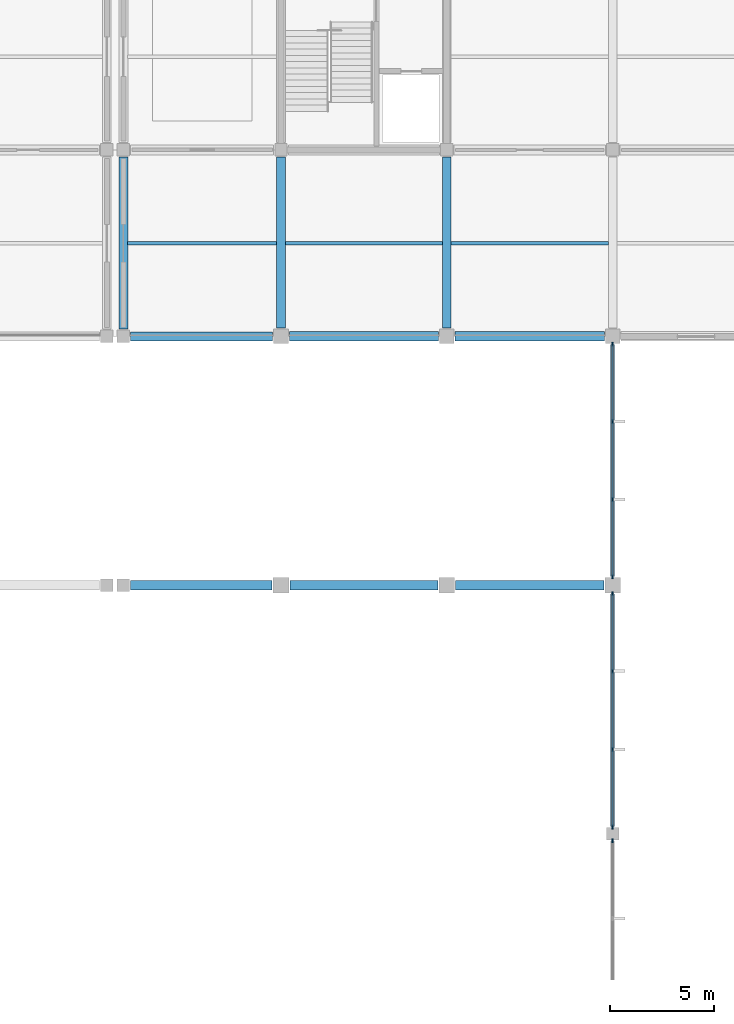
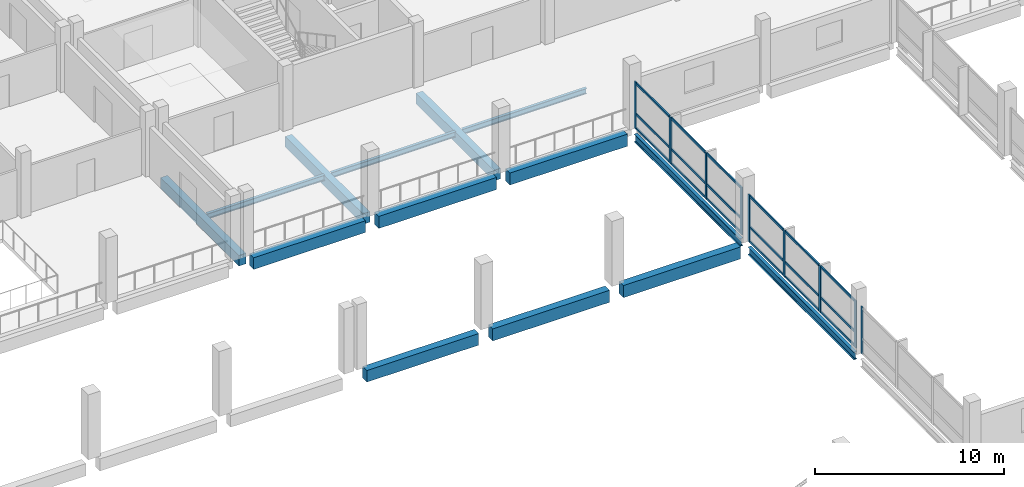
# One storey, part 17 of 57: 27 members, 14 beams, 3 elements without a shape of their own.
"""IFC4 building model written with IfcOpenShell, lengths in metres."""

from ifc_helpers import new_model, si_unit, direction, frame, origin, origin_2d, place, context, subcontext, project, spatial, rectangle, i_section, extrude, material, material_profile, profile_set, type_object, element, aggregate, save


model = new_model("IFC4")

# Units and contexts
model_context = context("Model", 3, precision=1e-05, world=origin(), true_north=direction((0.0, 1.0)))
body_context = subcontext(model_context, "Body", "Model", "MODEL_VIEW")
ifc_project = project(units=[si_unit("LENGTHUNIT", "METRE"), si_unit("AREAUNIT", "SQUARE_METRE"), si_unit("VOLUMEUNIT", "CUBIC_METRE"), si_unit("PLANEANGLEUNIT", "RADIAN"), si_unit("MASSUNIT", "GRAM", prefix="KILO"), si_unit("THERMODYNAMICTEMPERATUREUNIT", "KELVIN"), si_unit("POWERUNIT", "WATT")], contexts=[model_context])

# Site, building, storey
site_placement = place(None, origin())
site = spatial("IfcSite", under=ifc_project, at=site_placement, CompositionType="ELEMENT")
building_placement = place(site_placement, origin())
building = spatial("IfcBuilding", under=site, at=building_placement, Name="Kronsvod Quay Wholesale Market", CompositionType="ELEMENT")
storey_placement = place(building_placement, frame((0.0, 0.0, 4.800048828125)))
storey = spatial("IfcBuildingStorey", under=building, at=storey_placement, Name="L01", CompositionType="ELEMENT", Elevation=4.800048828125)

# Beams
ifc_material_1 = material(Name="Precast concrete C40/50", Category="concrete")
ifc_material_profile_1 = material_profile(ifc_material_1, rectangle(XDim=0.419921875, YDim=0.679931640625, at=origin_2d()), Name="PB-05")
ifc_profile_set_1 = profile_set([ifc_material_profile_1], Name="Precast concrete C40/50")
beam_type_1 = type_object("IfcBeamType", Name="Beam_PCB420x680", PredefinedType="BEAM", material=ifc_profile_set_1)
beam_1_placement = place(storey_placement, frame((64.39990234375, 90.35009765625, -0.64013671875), z_axis=(0.0, 1.0, 0.0), x_axis=(-1.0, 0.0, 0.0)))
element("IfcBeam", 1, at=beam_1_placement, inside=storey, type_object=beam_type_1, Name="BMY-L01-644-900", PredefinedType="BEAM", context=body_context, shape_type="SweptSolid", body=[
    extrude(rectangle(XDim=0.419921875, YDim=0.679931640625, at=origin_2d()), origin(), (0.0, 0.0, 1.0), 8.2998046875),
])
for number, where, z_axis, x_axis, name in (
    (2, (72.0, 90.39990234375, -0.64013671875), (0.0, 1.0, 0.0), (-1.0, 0.0, 0.0), "BMY-L01-720-900"),
    (3, (80.0, 90.39990234375, -0.64013671875), (0.0, 1.0, 0.0), (-1.0, 0.0, 0.0), "BMY-L01-800-900"),
):
    element("IfcBeam", number, at=place(storey_placement, frame(where, z_axis=z_axis, x_axis=x_axis)), inside=storey, type_object=beam_type_1, Name=name, PredefinedType="BEAM", context=body_context, shape_type="SweptSolid", body=[
        extrude(rectangle(XDim=0.419921875, YDim=0.679931640625, at=origin_2d()), origin(), (0.0, 0.0, 1.0), 8.25),
    ])
ifc_material_2 = material(Name="Precast concrete C40/50", Category="concrete")
ifc_material_profile_2 = material_profile(ifc_material_2, rectangle(XDim=0.449951171875, YDim=0.75, at=origin_2d()), Name="PCB450x750")
ifc_profile_set_2 = profile_set([ifc_material_profile_2], Name="Precast concrete C40/50")
beam_type_2 = type_object("IfcBeamType", Name="Beam_PCB450x750", PredefinedType="BEAM", material=ifc_profile_set_2)
beam_2_placement = place(storey_placement, frame((64.75, 78.0, -0.675048828125), z_axis=(1.0, 0.0, 0.0), x_axis=(0.0, 1.0, 0.0)))
element("IfcBeam", 4, at=beam_2_placement, inside=storey, type_object=beam_type_2, Name="BMX-L01-644-780", PredefinedType="BEAM", context=body_context, shape_type="SweptSolid", body=[
    extrude(rectangle(XDim=0.449951171875, YDim=0.75, at=origin_2d()), origin(), (0.0, 0.0, 1.0), 6.824951171875),
])
beam_3_placement = place(storey_placement, frame((64.75, 90.0, -0.675048828125), z_axis=(1.0, 0.0, 0.0), x_axis=(0.0, 1.0, 0.0)))
element("IfcBeam", 5, at=beam_3_placement, inside=storey, type_object=beam_type_2, Name="BMX-L01-644-900", PredefinedType="BEAM", context=body_context, shape_type="SweptSolid", body=[
    extrude(rectangle(XDim=0.449951171875, YDim=0.75, at=origin_2d()), origin(), (0.0, 0.0, 1.0), 6.85009765625),
])
ifc_material_3 = material(Name="Precast concrete C40/50", Category="concrete")
ifc_material_profile_3 = material_profile(ifc_material_3, rectangle(XDim=0.4599609375, YDim=0.780029296875, at=origin_2d()), Name="PB-03")
ifc_profile_set_3 = profile_set([ifc_material_profile_3], Name="Precast concrete C40/50")
beam_type_3 = type_object("IfcBeamType", Name="Beam_PCB460x780", PredefinedType="BEAM", material=ifc_profile_set_3)
for number, where, z_axis, x_axis, name in (
    (6, (72.425048828125, 78.0, -0.68994140625), (1.0, 0.0, 0.0), (0.0, 1.0, 0.0), "BMX-L01-720-780"),
    (7, (80.425048828125, 78.0, -0.68994140625), (1.0, 0.0, 0.0), (0.0, 1.0, 0.0), "BMX-L01-800-780"),
):
    element("IfcBeam", number, at=place(storey_placement, frame(where, z_axis=z_axis, x_axis=x_axis)), inside=storey, type_object=beam_type_3, Name=name, PredefinedType="BEAM", context=body_context, shape_type="SweptSolid", body=[
        extrude(rectangle(XDim=0.4599609375, YDim=0.780029296875, at=origin_2d()), origin(), (0.0, 0.0, 1.0), 7.14990234375),
    ])
for number, where, z_axis, x_axis, name in (
    (8, (72.39990234375, 90.0, -0.68994140625), (1.0, 0.0, 0.0), (0.0, 1.0, 0.0), "BMX-L01-720-900"),
    (9, (80.39990234375, 90.0, -0.68994140625), (1.0, 0.0, 0.0), (0.0, 1.0, 0.0), "BMX-L01-800-900"),
):
    element("IfcBeam", number, at=place(storey_placement, frame(where, z_axis=z_axis, x_axis=x_axis)), inside=storey, type_object=beam_type_3, Name=name, PredefinedType="BEAM", context=body_context, shape_type="SweptSolid", body=[
        extrude(rectangle(XDim=0.4599609375, YDim=0.780029296875, at=origin_2d()), origin(), (0.0, 0.0, 1.0), 7.2001953125),
    ])
ifc_material_4 = material(Name="Steel S355", Category="steel")
ifc_material_profile_4 = material_profile(ifc_material_4, i_section(OverallWidth=0.198974609375, OverallDepth=0.49609375, WebThickness=0.009033203125, FlangeThickness=0.013916015625, FilletRadius=0.02001953125, at=origin_2d()), Name="50B1")
ifc_profile_set_4 = profile_set([ifc_material_profile_4], Name="Steel S355")
beam_type_4 = type_object("IfcBeamType", Name="Girder_Steel50B1", PredefinedType="T_BEAM", material=ifc_profile_set_4)
beam_4_placement = place(storey_placement, frame((88.0, 66.35009765625, -0.548095703125), z_axis=(0.0, 1.0, 0.0), x_axis=(-1.0, 0.0, 0.0)))
element("IfcBeam", 10, at=beam_4_placement, inside=storey, type_object=beam_type_4, Name="BMY-L01-880-660", PredefinedType="T_BEAM", context=body_context, shape_type="SweptSolid", body=[
    extrude(i_section(OverallWidth=0.198974609375, OverallDepth=0.49609375, WebThickness=0.009033203125, FlangeThickness=0.013916015625, FilletRadius=0.02001953125, at=origin_2d()), origin(), (0.0, 0.0, 1.0), 11.224853515625),
])
beam_5_placement = place(storey_placement, frame((88.0, 78.425048828125, -0.548095703125), z_axis=(0.0, 1.0, 0.0), x_axis=(-1.0, 0.0, 0.0)))
element("IfcBeam", 11, at=beam_5_placement, inside=storey, type_object=beam_type_4, Name="BMY-L01-880-780", PredefinedType="T_BEAM", context=body_context, shape_type="SweptSolid", body=[
    extrude(i_section(OverallWidth=0.198974609375, OverallDepth=0.49609375, WebThickness=0.009033203125, FlangeThickness=0.013916015625, FilletRadius=0.02001953125, at=origin_2d()), origin(), (0.0, 0.0, 1.0), 11.175048828125),
])
ifc_material_5 = material(Name="Steel S355", Category="steel")
ifc_material_profile_5 = material_profile(ifc_material_5, i_section(OverallWidth=0.175048828125, OverallDepth=0.35009765625, WebThickness=0.007080078125, FlangeThickness=0.010986328125, FilletRadius=0.013916015625, at=origin_2d()), Name="35B2")
ifc_profile_set_5 = profile_set([ifc_material_profile_5], Name="Steel S355")
beam_type_5 = type_object("IfcBeamType", Name="Joist_Steel35B2", PredefinedType="JOIST", material=ifc_profile_set_5)
beam_6_placement = place(storey_placement, frame((64.60498046875, 94.5, -0.405029296875), z_axis=(1.0, 0.0, 0.0), x_axis=(0.0, 1.0, 0.0)))
element("IfcBeam", 12, at=beam_6_placement, inside=storey, type_object=beam_type_5, Name="JSTX-L01-644-900", PredefinedType="JOIST", context=body_context, shape_type="SweptSolid", body=[
    extrude(i_section(OverallWidth=0.175048828125, OverallDepth=0.35009765625, WebThickness=0.007080078125, FlangeThickness=0.010986328125, FilletRadius=0.013916015625, at=origin_2d()), origin(), (0.0, 0.0, 1.0), 7.18994140625),
])
for number, where, z_axis, x_axis, name in (
    (13, (72.205078125, 94.5, -0.405029296875), (1.0, 0.0, 0.0), (0.0, 1.0, 0.0), "JSTX-L01-720-900"),
    (14, (80.205078125, 94.5, -0.405029296875), (1.0, 0.0, 0.0), (0.0, 1.0, 0.0), "JSTX-L01-800-900"),
):
    element("IfcBeam", number, at=place(storey_placement, frame(where, z_axis=z_axis, x_axis=x_axis)), inside=storey, type_object=beam_type_5, Name=name, PredefinedType="JOIST", context=body_context, shape_type="SweptSolid", body=[
        extrude(i_section(OverallWidth=0.175048828125, OverallDepth=0.35009765625, WebThickness=0.007080078125, FlangeThickness=0.010986328125, FilletRadius=0.013916015625, at=origin_2d()), origin(), (0.0, 0.0, 1.0), 7.58984375),
    ])

# Curtain wall, member
ifc_material_6 = material(Name="Thermally broken aluminium and triple low-E glazing", Category="aluminium")
curtain_wall_type = type_object("IfcCurtainWallType", Name="CW_Court120x35", PredefinedType="NOTDEFINED", material=ifc_material_6)
curtain_wall_1_placement = place(storey_placement, origin())
curtain_wall_1 = element("IfcCurtainWall", 15, at=curtain_wall_1_placement, inside=storey, type_object=curtain_wall_type, Name="CWGY-L01-880-540", PredefinedType="NOTDEFINED")
ifc_material_7 = material(Name="Anodised aluminium", Category="aluminium")
ifc_material_profile_6 = material_profile(ifc_material_7, rectangle(XDim=0.074951171875, YDim=0.199951171875, at=origin_2d()), Name="ALUM75x200")
ifc_profile_set_6 = profile_set([ifc_material_profile_6], Name="Anodised aluminium")
member_type_1 = type_object("IfcMemberType", Name="Mullion_ALU75x200", PredefinedType="MULLION", material=ifc_profile_set_6)
member_1_placement = place(storey_placement, frame((88.0, 65.66748046875, 0.0), z_axis=(0.0, 0.0, 1.0), x_axis=(1.0, 0.0, 0.0)))
member_1 = element("IfcMember", 16, at=member_1_placement, type_object=member_type_1, Name="CWGY-L01-880-540-M4", PredefinedType="MULLION", context=body_context, shape_type="SweptSolid", body=[
    extrude(rectangle(XDim=0.074951171875, YDim=0.199951171875, at=origin_2d()), origin(), (0.0, 0.0, 1.0), 3.050048828125),
])
aggregate(curtain_wall_1, [member_1])

# Curtain wall, members
curtain_wall_2_placement = place(storey_placement, origin())
curtain_wall_2 = element("IfcCurtainWall", 17, at=curtain_wall_2_placement, inside=storey, type_object=curtain_wall_type, Name="CWGY-L01-880-660", PredefinedType="NOTDEFINED")
member_2_placement = place(storey_placement, frame((88.0, 66.33251953125, 0.0), z_axis=(0.0, 0.0, 1.0), x_axis=(1.0, 0.0, 0.0)))
member_2 = element("IfcMember", 18, at=member_2_placement, type_object=member_type_1, Name="CWGY-L01-880-660-M1", PredefinedType="MULLION", context=body_context, shape_type="SweptSolid", body=[
    extrude(rectangle(XDim=0.074951171875, YDim=0.199951171875, at=origin_2d()), origin(), (0.0, 0.0, 1.0), 3.050048828125),
])
member_3_placement = place(storey_placement, frame((88.0, 70.0732421875, 0.0), z_axis=(0.0, 0.0, 1.0), x_axis=(1.0, 0.0, 0.0)))
member_3 = element("IfcMember", 19, at=member_3_placement, type_object=member_type_1, Name="CWGY-L01-880-660-M2", PredefinedType="MULLION", context=body_context, shape_type="SweptSolid", body=[
    extrude(rectangle(XDim=0.074951171875, YDim=0.199951171875, at=origin_2d()), origin(), (0.0, 0.0, 1.0), 3.050048828125),
])
member_4_placement = place(storey_placement, frame((88.0, 73.8515625, 0.0), z_axis=(0.0, 0.0, 1.0), x_axis=(1.0, 0.0, 0.0)))
member_4 = element("IfcMember", 20, at=member_4_placement, type_object=member_type_1, Name="CWGY-L01-880-660-M3", PredefinedType="MULLION", context=body_context, shape_type="SweptSolid", body=[
    extrude(rectangle(XDim=0.074951171875, YDim=0.199951171875, at=origin_2d()), origin(), (0.0, 0.0, 1.0), 3.050048828125),
])
member_5_placement = place(storey_placement, frame((88.0, 77.592529296875, 0.0), z_axis=(0.0, 0.0, 1.0), x_axis=(1.0, 0.0, 0.0)))
member_5 = element("IfcMember", 21, at=member_5_placement, type_object=member_type_1, Name="CWGY-L01-880-660-M4", PredefinedType="MULLION", context=body_context, shape_type="SweptSolid", body=[
    extrude(rectangle(XDim=0.074951171875, YDim=0.199951171875, at=origin_2d()), origin(), (0.0, 0.0, 1.0), 3.050048828125),
])

curtain_wall_3_placement = place(storey_placement, origin())
curtain_wall_3 = element("IfcCurtainWall", 22, at=curtain_wall_3_placement, inside=storey, type_object=curtain_wall_type, Name="CWGY-L01-880-780", PredefinedType="NOTDEFINED")
member_6_placement = place(storey_placement, frame((88.0, 78.407470703125, 0.0), z_axis=(0.0, 0.0, 1.0), x_axis=(1.0, 0.0, 0.0)))
member_6 = element("IfcMember", 23, at=member_6_placement, type_object=member_type_1, Name="CWGY-L01-880-780-M1", PredefinedType="MULLION", context=body_context, shape_type="SweptSolid", body=[
    extrude(rectangle(XDim=0.074951171875, YDim=0.199951171875, at=origin_2d()), origin(), (0.0, 0.0, 1.0), 3.050048828125),
])
member_7_placement = place(storey_placement, frame((88.0, 82.131591796875, 0.0), z_axis=(0.0, 0.0, 1.0), x_axis=(1.0, 0.0, 0.0)))
member_7 = element("IfcMember", 24, at=member_7_placement, type_object=member_type_1, Name="CWGY-L01-880-780-M2", PredefinedType="MULLION", context=body_context, shape_type="SweptSolid", body=[
    extrude(rectangle(XDim=0.074951171875, YDim=0.199951171875, at=origin_2d()), origin(), (0.0, 0.0, 1.0), 3.050048828125),
])
member_8_placement = place(storey_placement, frame((88.0, 85.893310546875, 0.0), z_axis=(0.0, 0.0, 1.0), x_axis=(1.0, 0.0, 0.0)))
member_8 = element("IfcMember", 25, at=member_8_placement, type_object=member_type_1, Name="CWGY-L01-880-780-M3", PredefinedType="MULLION", context=body_context, shape_type="SweptSolid", body=[
    extrude(rectangle(XDim=0.074951171875, YDim=0.199951171875, at=origin_2d()), origin(), (0.0, 0.0, 1.0), 3.050048828125),
])
member_9_placement = place(storey_placement, frame((88.0, 89.617431640625, 0.0), z_axis=(0.0, 0.0, 1.0), x_axis=(1.0, 0.0, 0.0)))
member_9 = element("IfcMember", 26, at=member_9_placement, type_object=member_type_1, Name="CWGY-L01-880-780-M4", PredefinedType="MULLION", context=body_context, shape_type="SweptSolid", body=[
    extrude(rectangle(XDim=0.074951171875, YDim=0.199951171875, at=origin_2d()), origin(), (0.0, 0.0, 1.0), 3.050048828125),
])

# Member
ifc_material_8 = material(Name="Anodised aluminium", Category="aluminium")
ifc_material_profile_7 = material_profile(ifc_material_8, rectangle(XDim=0.074951171875, YDim=0.14990234375, at=origin_2d()), Name="ALUT75x150")
ifc_profile_set_7 = profile_set([ifc_material_profile_7], Name="Anodised aluminium")
member_type_2 = type_object("IfcMemberType", Name="Transom_ALU75x150", PredefinedType="USERDEFINED", material=ifc_profile_set_7)
member_10_placement = place(storey_placement, frame((88.0, 66.3701171875, 0.074951171875), z_axis=(0.0, 1.0, 0.0), x_axis=(-1.0, 0.0, 0.0)))
member_10 = element("IfcMember", 27, at=member_10_placement, type_object=member_type_2, Name="CWGY-L01-880-660-T1B1", ObjectType="TRANSOM", PredefinedType="USERDEFINED", context=body_context, shape_type="SweptSolid", body=[
    extrude(rectangle(XDim=0.074951171875, YDim=0.14990234375, at=origin_2d()), origin(), (0.0, 0.0, 1.0), 3.665771484375),
])

member_11_placement = place(storey_placement, frame((88.0, 70.11083984375, 0.074951171875), z_axis=(0.0, 1.0, 0.0), x_axis=(-1.0, 0.0, 0.0)))
member_11 = element("IfcMember", 28, at=member_11_placement, type_object=member_type_2, Name="CWGY-L01-880-660-T1B2", ObjectType="TRANSOM", PredefinedType="USERDEFINED", context=body_context, shape_type="SweptSolid", body=[
    extrude(rectangle(XDim=0.074951171875, YDim=0.14990234375, at=origin_2d()), origin(), (0.0, 0.0, 1.0), 3.703369140625),
])

member_12_placement = place(storey_placement, frame((88.0, 73.88916015625, 0.074951171875), z_axis=(0.0, 1.0, 0.0), x_axis=(-1.0, 0.0, 0.0)))
member_12 = element("IfcMember", 29, at=member_12_placement, type_object=member_type_2, Name="CWGY-L01-880-660-T1B3", ObjectType="TRANSOM", PredefinedType="USERDEFINED", context=body_context, shape_type="SweptSolid", body=[
    extrude(rectangle(XDim=0.074951171875, YDim=0.14990234375, at=origin_2d()), origin(), (0.0, 0.0, 1.0), 3.665771484375),
])

member_13_placement = place(storey_placement, frame((88.0, 66.3701171875, 1.0), z_axis=(0.0, 1.0, 0.0), x_axis=(-1.0, 0.0, 0.0)))
member_13 = element("IfcMember", 30, at=member_13_placement, type_object=member_type_2, Name="CWGY-L01-880-660-T2B1", ObjectType="TRANSOM", PredefinedType="USERDEFINED", context=body_context, shape_type="SweptSolid", body=[
    extrude(rectangle(XDim=0.074951171875, YDim=0.14990234375, at=origin_2d()), origin(), (0.0, 0.0, 1.0), 3.665771484375),
])

member_14_placement = place(storey_placement, frame((88.0, 70.11083984375, 1.0), z_axis=(0.0, 1.0, 0.0), x_axis=(-1.0, 0.0, 0.0)))
member_14 = element("IfcMember", 31, at=member_14_placement, type_object=member_type_2, Name="CWGY-L01-880-660-T2B2", ObjectType="TRANSOM", PredefinedType="USERDEFINED", context=body_context, shape_type="SweptSolid", body=[
    extrude(rectangle(XDim=0.074951171875, YDim=0.14990234375, at=origin_2d()), origin(), (0.0, 0.0, 1.0), 3.703369140625),
])

member_15_placement = place(storey_placement, frame((88.0, 73.88916015625, 1.0), z_axis=(0.0, 1.0, 0.0), x_axis=(-1.0, 0.0, 0.0)))
member_15 = element("IfcMember", 32, at=member_15_placement, type_object=member_type_2, Name="CWGY-L01-880-660-T2B3", ObjectType="TRANSOM", PredefinedType="USERDEFINED", context=body_context, shape_type="SweptSolid", body=[
    extrude(rectangle(XDim=0.074951171875, YDim=0.14990234375, at=origin_2d()), origin(), (0.0, 0.0, 1.0), 3.665771484375),
])

member_16_placement = place(storey_placement, frame((88.0, 66.3701171875, 2.974853515625), z_axis=(0.0, 1.0, 0.0), x_axis=(-1.0, 0.0, 0.0)))
member_16 = element("IfcMember", 33, at=member_16_placement, type_object=member_type_2, Name="CWGY-L01-880-660-T3B1", ObjectType="TRANSOM", PredefinedType="USERDEFINED", context=body_context, shape_type="SweptSolid", body=[
    extrude(rectangle(XDim=0.074951171875, YDim=0.14990234375, at=origin_2d()), origin(), (0.0, 0.0, 1.0), 3.665771484375),
])

member_17_placement = place(storey_placement, frame((88.0, 70.11083984375, 2.974853515625), z_axis=(0.0, 1.0, 0.0), x_axis=(-1.0, 0.0, 0.0)))
member_17 = element("IfcMember", 34, at=member_17_placement, type_object=member_type_2, Name="CWGY-L01-880-660-T3B2", ObjectType="TRANSOM", PredefinedType="USERDEFINED", context=body_context, shape_type="SweptSolid", body=[
    extrude(rectangle(XDim=0.074951171875, YDim=0.14990234375, at=origin_2d()), origin(), (0.0, 0.0, 1.0), 3.703369140625),
])

member_18_placement = place(storey_placement, frame((88.0, 73.88916015625, 2.974853515625), z_axis=(0.0, 1.0, 0.0), x_axis=(-1.0, 0.0, 0.0)))
member_18 = element("IfcMember", 35, at=member_18_placement, type_object=member_type_2, Name="CWGY-L01-880-660-T3B3", ObjectType="TRANSOM", PredefinedType="USERDEFINED", context=body_context, shape_type="SweptSolid", body=[
    extrude(rectangle(XDim=0.074951171875, YDim=0.14990234375, at=origin_2d()), origin(), (0.0, 0.0, 1.0), 3.665771484375),
])

aggregate(curtain_wall_2, [member_2, member_3, member_4, member_5, member_10, member_11, member_12, member_13, member_14, member_15, member_16, member_17, member_18])

member_19_placement = place(storey_placement, frame((88.0, 78.445068359375, 0.074951171875), z_axis=(0.0, 1.0, 0.0), x_axis=(-1.0, 0.0, 0.0)))
member_19 = element("IfcMember", 36, at=member_19_placement, type_object=member_type_2, Name="CWGY-L01-880-780-T1B1", ObjectType="TRANSOM", PredefinedType="USERDEFINED", context=body_context, shape_type="SweptSolid", body=[
    extrude(rectangle(XDim=0.074951171875, YDim=0.14990234375, at=origin_2d()), origin(), (0.0, 0.0, 1.0), 3.649169921875),
])

member_20_placement = place(storey_placement, frame((88.0, 82.169189453125, 0.074951171875), z_axis=(0.0, 1.0, 0.0), x_axis=(-1.0, 0.0, 0.0)))
member_20 = element("IfcMember", 37, at=member_20_placement, type_object=member_type_2, Name="CWGY-L01-880-780-T1B2", ObjectType="TRANSOM", PredefinedType="USERDEFINED", context=body_context, shape_type="SweptSolid", body=[
    extrude(rectangle(XDim=0.074951171875, YDim=0.14990234375, at=origin_2d()), origin(), (0.0, 0.0, 1.0), 3.6865234375),
])

member_21_placement = place(storey_placement, frame((88.0, 85.930908203125, 0.074951171875), z_axis=(0.0, 1.0, 0.0), x_axis=(-1.0, 0.0, 0.0)))
member_21 = element("IfcMember", 38, at=member_21_placement, type_object=member_type_2, Name="CWGY-L01-880-780-T1B3", ObjectType="TRANSOM", PredefinedType="USERDEFINED", context=body_context, shape_type="SweptSolid", body=[
    extrude(rectangle(XDim=0.074951171875, YDim=0.14990234375, at=origin_2d()), origin(), (0.0, 0.0, 1.0), 3.649169921875),
])

member_22_placement = place(storey_placement, frame((88.0, 78.445068359375, 1.0), z_axis=(0.0, 1.0, 0.0), x_axis=(-1.0, 0.0, 0.0)))
member_22 = element("IfcMember", 39, at=member_22_placement, type_object=member_type_2, Name="CWGY-L01-880-780-T2B1", ObjectType="TRANSOM", PredefinedType="USERDEFINED", context=body_context, shape_type="SweptSolid", body=[
    extrude(rectangle(XDim=0.074951171875, YDim=0.14990234375, at=origin_2d()), origin(), (0.0, 0.0, 1.0), 3.649169921875),
])

member_23_placement = place(storey_placement, frame((88.0, 82.169189453125, 1.0), z_axis=(0.0, 1.0, 0.0), x_axis=(-1.0, 0.0, 0.0)))
member_23 = element("IfcMember", 40, at=member_23_placement, type_object=member_type_2, Name="CWGY-L01-880-780-T2B2", ObjectType="TRANSOM", PredefinedType="USERDEFINED", context=body_context, shape_type="SweptSolid", body=[
    extrude(rectangle(XDim=0.074951171875, YDim=0.14990234375, at=origin_2d()), origin(), (0.0, 0.0, 1.0), 3.6865234375),
])

member_24_placement = place(storey_placement, frame((88.0, 85.930908203125, 1.0), z_axis=(0.0, 1.0, 0.0), x_axis=(-1.0, 0.0, 0.0)))
member_24 = element("IfcMember", 41, at=member_24_placement, type_object=member_type_2, Name="CWGY-L01-880-780-T2B3", ObjectType="TRANSOM", PredefinedType="USERDEFINED", context=body_context, shape_type="SweptSolid", body=[
    extrude(rectangle(XDim=0.074951171875, YDim=0.14990234375, at=origin_2d()), origin(), (0.0, 0.0, 1.0), 3.649169921875),
])

member_25_placement = place(storey_placement, frame((88.0, 78.445068359375, 2.974853515625), z_axis=(0.0, 1.0, 0.0), x_axis=(-1.0, 0.0, 0.0)))
member_25 = element("IfcMember", 42, at=member_25_placement, type_object=member_type_2, Name="CWGY-L01-880-780-T3B1", ObjectType="TRANSOM", PredefinedType="USERDEFINED", context=body_context, shape_type="SweptSolid", body=[
    extrude(rectangle(XDim=0.074951171875, YDim=0.14990234375, at=origin_2d()), origin(), (0.0, 0.0, 1.0), 3.649169921875),
])

member_26_placement = place(storey_placement, frame((88.0, 82.169189453125, 2.974853515625), z_axis=(0.0, 1.0, 0.0), x_axis=(-1.0, 0.0, 0.0)))
member_26 = element("IfcMember", 43, at=member_26_placement, type_object=member_type_2, Name="CWGY-L01-880-780-T3B2", ObjectType="TRANSOM", PredefinedType="USERDEFINED", context=body_context, shape_type="SweptSolid", body=[
    extrude(rectangle(XDim=0.074951171875, YDim=0.14990234375, at=origin_2d()), origin(), (0.0, 0.0, 1.0), 3.6865234375),
])

member_27_placement = place(storey_placement, frame((88.0, 85.930908203125, 2.974853515625), z_axis=(0.0, 1.0, 0.0), x_axis=(-1.0, 0.0, 0.0)))
member_27 = element("IfcMember", 44, at=member_27_placement, type_object=member_type_2, Name="CWGY-L01-880-780-T3B3", ObjectType="TRANSOM", PredefinedType="USERDEFINED", context=body_context, shape_type="SweptSolid", body=[
    extrude(rectangle(XDim=0.074951171875, YDim=0.14990234375, at=origin_2d()), origin(), (0.0, 0.0, 1.0), 3.649169921875),
])

aggregate(curtain_wall_3, [member_6, member_7, member_8, member_9, member_19, member_20, member_21, member_22, member_23, member_24, member_25, member_26, member_27])

save(model, "model.ifc")
